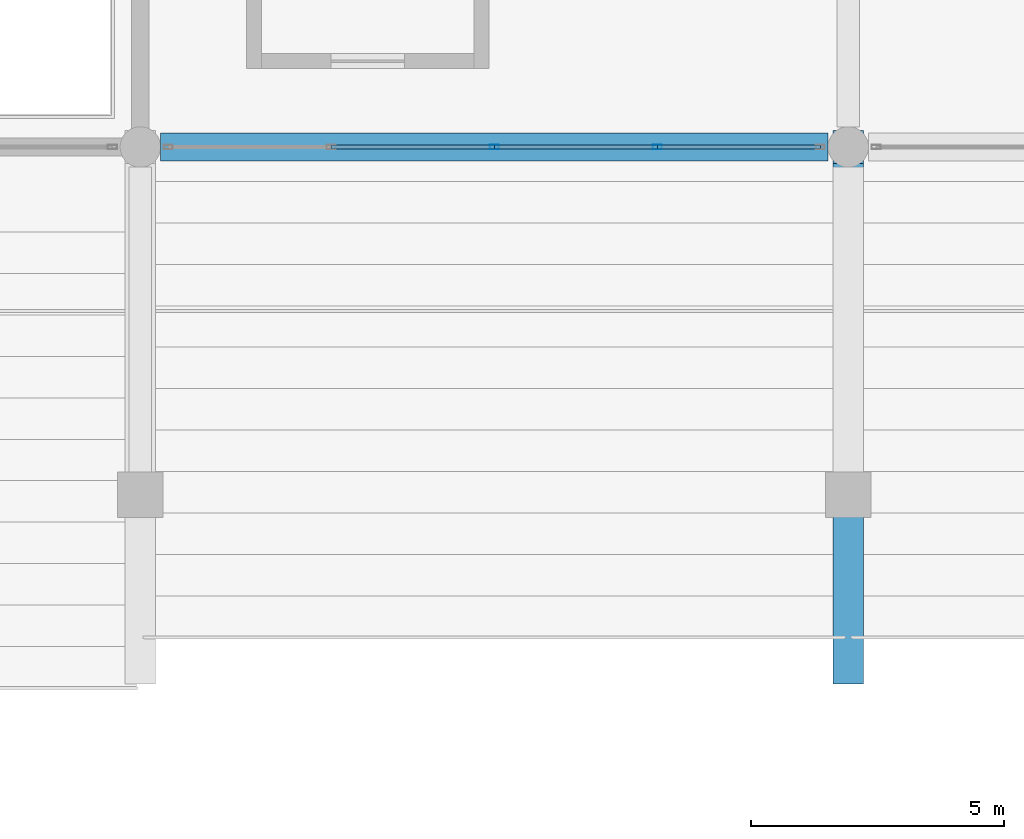
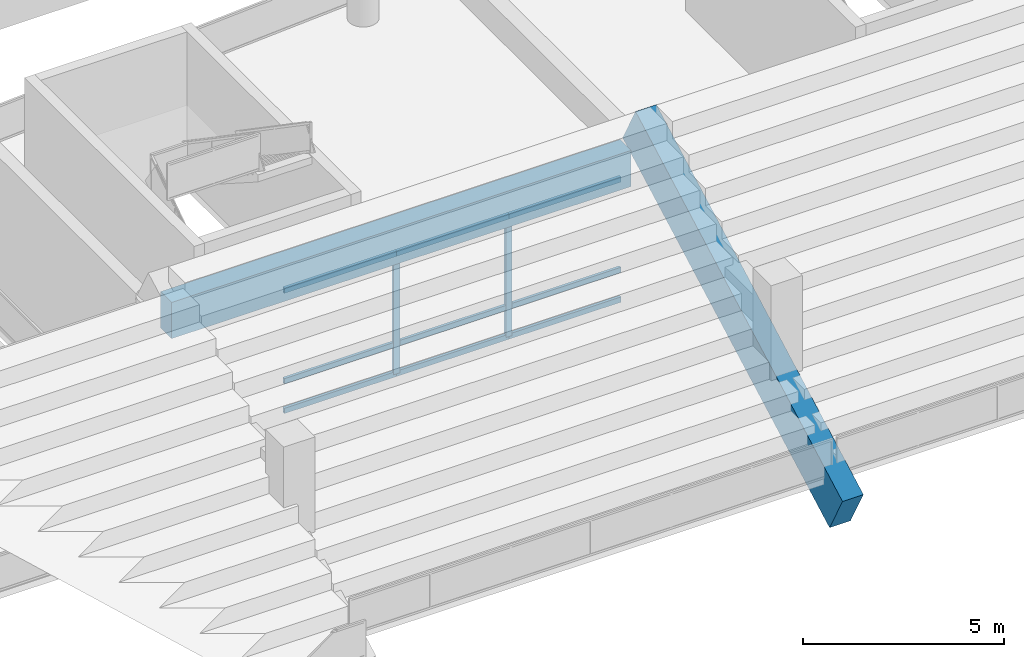
# One storey, part 49 of 94: 11 members, 2 beams, 1 element without a shape of its own.
"""IFC4 building model written with IfcOpenShell, lengths in metres."""

import ifcopenshell
import ifcopenshell.guid

model = None  # the IFC model being written
_history = None  # IfcOwnerHistory: only IFC2X3 demands one
_inside = {}  # id of a spatial element -> (the spatial element, [elements in it])
_under = {}  # id of a project, library or spatial element -> (it, [spatial elements below it])
_declared = {}  # id of a project -> (the project, [libraries it declares])
_typed = {}  # id of a type object -> (the type object, [elements of that type])
_made_of = {}  # id of a material, layer set ... -> (it, [elements and type objects made of it])


def new_model(schema):
    """Start an empty IFC model of exactly this schema.

    Asked for "IFC4X3", IfcOpenShell would pick the latest addendum, in which some entities
    have other attributes; the version numbers below select the first issue.
    IFC2X3 requires an IfcOwnerHistory on every rooted entity: one is made here for all.
    """
    global model, _history
    if schema == "IFC4X3":
        model = ifcopenshell.file(schema_version=(4, 3, 0, 0))
    else:
        model = ifcopenshell.file(schema=schema)
    _inside.clear()
    _under.clear()
    _declared.clear()
    _typed.clear()
    _made_of.clear()
    _history = None
    if model.schema == "IFC2X3":
        org = make("IfcOrganization", Name="unknown")
        user = make(
            "IfcPersonAndOrganization",
            ThePerson=make("IfcPerson", FamilyName="unknown"),
            TheOrganization=org,
        )
        app = make(
            "IfcApplication",
            ApplicationDeveloper=org,
            Version="unknown",
            ApplicationFullName="unknown",
            ApplicationIdentifier="unknown",
        )
        _history = make(
            "IfcOwnerHistory",
            OwningUser=user,
            OwningApplication=app,
            ChangeAction="ADDED",
            CreationDate=0,
        )
    return model


def make(cls, **values):
    """One entity of the class cls with the attributes given. An attribute that is None is left unset."""
    return model.create_entity(
        cls, **{name: value for name, value in values.items() if value is not None}
    )


def rooted(cls, **values):
    """An entity with a GlobalId (a new one), such as an element, a storey or a relation."""
    return make(cls, GlobalId=ifcopenshell.guid.new(), OwnerHistory=_history, **values)


def si_unit(unit_type, name, prefix=None):
    """IfcSIUnit, for example si_unit("LENGTHUNIT", "METRE", prefix="MILLI")."""
    return make("IfcSIUnit", UnitType=unit_type, Prefix=prefix, Name=name)


def assignment(units):
    """IfcUnitAssignment: the units of a project."""
    return None if units is None else make("IfcUnitAssignment", Units=units)


def point(xyz):
    """IfcCartesianPoint."""
    return None if xyz is None else make("IfcCartesianPoint", Coordinates=xyz)


def direction(xyz):
    """IfcDirection."""
    return None if xyz is None else make("IfcDirection", DirectionRatios=xyz)


def frame(location, z_axis=None, x_axis=None):
    """IfcAxis2Placement3D, a coordinate frame: its origin and axes. An axis left out is left unset."""
    return make(
        "IfcAxis2Placement3D",
        Location=point(location),
        Axis=direction(z_axis),
        RefDirection=direction(x_axis),
    )


def frame_2d(location, x_axis=None):
    """IfcAxis2Placement2D, a coordinate frame in the plane: its origin and x axis."""
    return make(
        "IfcAxis2Placement2D", Location=point(location), RefDirection=direction(x_axis)
    )


def origin():
    """The frame at (0, 0, 0) with its axes left unset."""
    return frame((0.0, 0.0, 0.0))


def origin_2d():
    """The frame at (0, 0) in the plane with its x axis left unset."""
    return frame_2d((0.0, 0.0))


def place(relative_to, where):
    """IfcLocalPlacement: puts the frame where relative to a parent placement (None: the world)."""
    return make(
        "IfcLocalPlacement", PlacementRelTo=relative_to, RelativePlacement=where
    )


def context(
    kind, dimensions, precision=None, world=None, true_north=None, identifier=None
):
    """IfcGeometricRepresentationContext, for example the 3D "Model" context."""
    return make(
        "IfcGeometricRepresentationContext",
        ContextIdentifier=identifier,
        ContextType=kind,
        CoordinateSpaceDimension=dimensions,
        Precision=precision,
        WorldCoordinateSystem=world,
        TrueNorth=true_north,
    )


def subcontext(parent, identifier, kind, view, scale=None):
    """IfcGeometricRepresentationSubContext, for example "Body" below "Model"."""
    return make(
        "IfcGeometricRepresentationSubContext",
        ContextIdentifier=identifier,
        ContextType=kind,
        ParentContext=parent,
        TargetScale=scale,
        TargetView=view,
    )


def project(units=None, contexts=None):
    """IfcProject with its units and contexts."""
    return rooted(
        "IfcProject",
        Name="project",
        RepresentationContexts=contexts,
        UnitsInContext=assignment(units),
    )


def spatial(cls, under=None, at=None, **own):
    """A site, building, storey or space (cls), placed at a placement, below another one or the project."""
    s = rooted(cls, ObjectPlacement=at, **own)
    if under is not None:
        _under.setdefault(under.id(), (under, []))[1].append(s)
    return s


def profile(cls, at=None, kind="AREA", **sizes):
    """A parametric profile (cls). Its sizes go by their IFC names, for example OverallWidth=200.0."""
    return make(cls, ProfileType=kind, Position=at, **sizes)


def rectangle(**sizes):
    """IfcRectangleProfileDef."""
    return profile("IfcRectangleProfileDef", **sizes)


def hollow_rectangle(**sizes):
    """IfcRectangleHollowProfileDef."""
    return profile("IfcRectangleHollowProfileDef", **sizes)


def extrude(swept, where, along, depth):
    """IfcExtrudedAreaSolid: the profile swept, set in the frame where, extruded along a direction by depth."""
    return make(
        "IfcExtrudedAreaSolid",
        SweptArea=swept,
        Position=where,
        ExtrudedDirection=direction(along),
        Depth=depth,
    )


def shape(context_of_items, identifier, shape_type, items):
    """IfcShapeRepresentation: the items that make up one representation, for example the "Body"."""
    return make(
        "IfcShapeRepresentation",
        ContextOfItems=context_of_items,
        RepresentationIdentifier=identifier,
        RepresentationType=shape_type,
        Items=items,
    )


def material(Name=None, Category=None):
    """IfcMaterial."""
    return make("IfcMaterial", Name=Name, Category=Category)


def material_profile(
    of_material, cross_section, Name=None, Category=None, Priority=None
):
    """IfcMaterialProfile: a cross section and its material."""
    return make(
        "IfcMaterialProfile",
        Name=Name,
        Material=of_material,
        Profile=cross_section,
        Priority=Priority,
        Category=Category,
    )


def profile_set(profiles, Name=None, composite=None):
    """IfcMaterialProfileSet."""
    return make(
        "IfcMaterialProfileSet",
        Name=Name,
        MaterialProfiles=profiles,
        CompositeProfile=composite,
    )


def made_of(thing, what):
    """Note that an element or type object is made of a material, layer set ...; save() writes the relation."""
    if what is not None:
        _made_of.setdefault(what.id(), (what, []))[1].append(thing)
    return thing


def type_object(cls, material=None, **own):
    """A type object (cls), such as IfcWallType, which elements share."""
    return made_of(rooted(cls, **own), material)


def element(
    cls,
    number,
    at=None,
    inside=None,
    cuts=None,
    type_object=None,
    material=None,
    context=None,
    identifier="Body",
    shape_type=None,
    held_by="IfcProductDefinitionShape",
    body=None,
    shapes=None,
    **own,
):
    """One element of the class cls, such as IfcWall. Its Tag is "e" and its number.

    at: its placement. inside: the storey or other place that contains it. cuts: it is an
    opening in that element (IfcRelVoidsElement). A single representation is given by context,
    identifier, shape_type and body (its items); several are given by shapes. held_by: the class
    of the entity that holds the representations. save() writes the other relations.
    """
    e = rooted(cls, Tag="e%d" % number, ObjectPlacement=at, **own)
    if body is not None:
        shapes = [shape(context, identifier, shape_type, body)]
    if shapes is not None:
        e.Representation = make(held_by, Representations=shapes)
    if inside is not None:
        _inside.setdefault(inside.id(), (inside, []))[1].append(e)
    if cuts is not None:
        rooted(
            "IfcRelVoidsElement", RelatingBuildingElement=cuts, RelatedOpeningElement=e
        )
    if type_object is not None:
        _typed.setdefault(type_object.id(), (type_object, []))[1].append(e)
    return made_of(e, material)


def aggregate(whole, parts):
    """IfcRelAggregates: a whole, such as a stair, and the parts it consists of."""
    return rooted("IfcRelAggregates", RelatingObject=whole, RelatedObjects=parts)


def save(model, path):
    """Write the relations noted so far, then the file.

    IfcRelAggregates (storeys below a building ...), IfcRelContainedInSpatialStructure (elements
    in a storey), IfcRelDefinesByType, IfcRelAssociatesMaterial and IfcRelDeclares: one each for
    every whole, place, type object, material and project.
    """
    for whole, parts in _under.values():
        aggregate(whole, parts)
    for where, things in _inside.values():
        rooted(
            "IfcRelContainedInSpatialStructure",
            RelatedElements=things,
            RelatingStructure=where,
        )
    for kind, things in _typed.values():
        rooted("IfcRelDefinesByType", RelatedObjects=things, RelatingType=kind)
    for what, things in _made_of.values():
        rooted("IfcRelAssociatesMaterial", RelatedObjects=things, RelatingMaterial=what)
    for by, libraries in _declared.values():
        rooted("IfcRelDeclares", RelatingContext=by, RelatedDefinitions=libraries)
    model.write(path)


model = new_model("IFC4")

# Units and contexts
model_context = context("Model", 3, precision=1e-05, world=origin(), true_north=direction((0.0, 1.0)))
body_context = subcontext(model_context, "Body", "Model", "MODEL_VIEW")
ifc_project = project(units=[si_unit("LENGTHUNIT", "METRE"), si_unit("AREAUNIT", "SQUARE_METRE"), si_unit("VOLUMEUNIT", "CUBIC_METRE"), si_unit("PLANEANGLEUNIT", "RADIAN"), si_unit("MASSUNIT", "GRAM", prefix="KILO")], contexts=[model_context])

# Site, building, storey
site_placement = place(None, origin())
site = spatial("IfcSite", under=ifc_project, at=site_placement, CompositionType="ELEMENT")
building_placement = place(site_placement, origin())
building = spatial("IfcBuilding", under=site, at=building_placement, Name="Linyun Crest Stadium", CompositionType="ELEMENT")
storey_placement = place(building_placement, frame((0.0, 0.0, 16.199951171875)))
storey = spatial("IfcBuildingStorey", under=building, at=storey_placement, Name="L04", CompositionType="ELEMENT", Elevation=16.199951171875)

# Curtain wall, members
ifc_material_1 = material(Name="Verdigris steel and low-E curtain wall assembly", Category="steel")
curtain_wall_type = type_object("IfcCurtainWallType", Name="MCW01", PredefinedType="NOTDEFINED", material=ifc_material_1)
curtain_wall_placement = place(storey_placement, origin())
curtain_wall = element("IfcCurtainWall", 1, at=curtain_wall_placement, inside=storey, type_object=curtain_wall_type, Name="CWR-136", PredefinedType="NOTDEFINED")
ifc_material_2 = material(Name="Verdigris painted steel Q355B mullion", Category="steel")
ifc_material_profile_1 = material_profile(ifc_material_2, hollow_rectangle(XDim=0.080078125, YDim=0.179931640625, WallThickness=0.006103515625, at=origin_2d()), Name="RHS 180x80x6")
ifc_profile_set_1 = profile_set([ifc_material_profile_1], Name="Verdigris painted steel Q355B mullion")
member_type_1 = type_object("IfcMemberType", Name="ML02", PredefinedType="MULLION", material=ifc_profile_set_1)
member_1_placement = place(storey_placement, frame((-7.0, 91.5, 0.0), z_axis=(0.0, 0.0, 1.0), x_axis=(0.0, 1.0, 0.0)))
member_1 = element("IfcMember", 2, at=member_1_placement, type_object=member_type_1, Name="CWR-136 mullion 3", PredefinedType="MULLION", context=body_context, shape_type="SweptSolid", body=[
    extrude(hollow_rectangle(XDim=0.080078125, YDim=0.179931640625, WallThickness=0.006103515625, at=origin_2d()), origin(), (0.0, 0.0, 1.0), 3.650146484375),
])
member_2_placement = place(storey_placement, frame((-3.77490234375, 91.5, 0.0), z_axis=(0.0, 0.0, 1.0), x_axis=(0.0, 1.0, 0.0)))
member_2 = element("IfcMember", 3, at=member_2_placement, type_object=member_type_1, Name="CWR-136 mullion 4", PredefinedType="MULLION", context=body_context, shape_type="SweptSolid", body=[
    extrude(hollow_rectangle(XDim=0.080078125, YDim=0.179931640625, WallThickness=0.006103515625, at=origin_2d()), origin(), (0.0, 0.0, 1.0), 3.650146484375),
])

# Beams
ifc_material_3 = material(Name="Precast concrete C50", Category="concrete")
ifc_material_profile_2 = material_profile(ifc_material_3, rectangle(XDim=0.60009765625, YDim=1.35009765625, at=origin_2d()), Name="PCR 1350x600")
ifc_profile_set_2 = profile_set([ifc_material_profile_2], Name="Precast concrete C50")
beam_type_1 = type_object("IfcBeamType", Name="RB03", PredefinedType="USERDEFINED", material=ifc_profile_set_2)
beam_1_placement = place(storey_placement, frame((0.0, 81.199951171875, -0.39990234375), z_axis=(0.0, 0.878552895081, 0.47764506754), x_axis=(-1.0, 0.0, 0.0)))
element("IfcBeam", 4, at=beam_1_placement, inside=storey, type_object=beam_type_1, Name="Precast raker beam RB03 V3 79", ObjectType="RAKER", PredefinedType="USERDEFINED", context=body_context, shape_type="SweptSolid", body=[
    extrude(rectangle(XDim=0.60009765625, YDim=1.35009765625, at=origin_2d()), origin(), (0.0, 0.0, 1.0), 11.723876953125),
])
ifc_material_4 = material(Name="Concrete C50", Category="concrete")
ifc_material_profile_3 = material_profile(ifc_material_4, rectangle(XDim=0.550048828125, YDim=1.10009765625, at=origin_2d()), Name="RCB 1100x550")
ifc_profile_set_3 = profile_set([ifc_material_profile_3], Name="Concrete C50")
beam_type_2 = type_object("IfcBeamType", Name="TB01", PredefinedType="USERDEFINED", material=ifc_profile_set_3)
beam_2_placement = place(storey_placement, frame((-13.60009765625, 91.5, 4.070068359375), z_axis=(1.0, 0.0, 0.0), x_axis=(0.0, 1.0, 0.0)))
element("IfcBeam", 5, at=beam_2_placement, inside=storey, type_object=beam_type_2, Name="Frame beam TB01 L04 810", ObjectType="GIRDER", PredefinedType="USERDEFINED", context=body_context, shape_type="SweptSolid", body=[
    extrude(rectangle(XDim=0.550048828125, YDim=1.10009765625, at=origin_2d()), origin(), (0.0, 0.0, 1.0), 13.2001953125),
])

# Member
ifc_material_5 = material(Name="Aluminium thermally broken transom", Category="aluminium")
ifc_material_profile_4 = material_profile(ifc_material_5, hollow_rectangle(XDim=0.080078125, YDim=0.159912109375, WallThickness=0.006103515625, at=origin_2d()), Name="RHS 160x80x6")
ifc_profile_set_4 = profile_set([ifc_material_profile_4], Name="Aluminium thermally broken transom")
member_type_2 = type_object("IfcMemberType", Name="TR01", PredefinedType="USERDEFINED", material=ifc_profile_set_4)
member_3_placement = place(storey_placement, frame((-10.22509765625, 91.5, 0.0), z_axis=(1.0, 0.0, 0.0), x_axis=(0.0, 1.0, 0.0)))
member_3 = element("IfcMember", 6, at=member_3_placement, type_object=member_type_2, Name="CWR-136 transom 2.1", ObjectType="TRANSOM", PredefinedType="USERDEFINED", context=body_context, shape_type="SweptSolid", body=[
    extrude(hollow_rectangle(XDim=0.080078125, YDim=0.159912109375, WallThickness=0.006103515625, at=origin_2d()), origin(), (0.0, 0.0, 1.0), 3.22509765625),
])

member_4_placement = place(storey_placement, frame((-10.22509765625, 91.5, 0.900146484375), z_axis=(1.0, 0.0, 0.0), x_axis=(0.0, 1.0, 0.0)))
member_4 = element("IfcMember", 7, at=member_4_placement, type_object=member_type_2, Name="CWR-136 transom 2.2", ObjectType="TRANSOM", PredefinedType="USERDEFINED", context=body_context, shape_type="SweptSolid", body=[
    extrude(hollow_rectangle(XDim=0.080078125, YDim=0.159912109375, WallThickness=0.006103515625, at=origin_2d()), origin(), (0.0, 0.0, 1.0), 3.22509765625),
])

member_5_placement = place(storey_placement, frame((-10.22509765625, 91.5, 3.650146484375), z_axis=(1.0, 0.0, 0.0), x_axis=(0.0, 1.0, 0.0)))
member_5 = element("IfcMember", 8, at=member_5_placement, type_object=member_type_2, Name="CWR-136 transom 2.3", ObjectType="TRANSOM", PredefinedType="USERDEFINED", context=body_context, shape_type="SweptSolid", body=[
    extrude(hollow_rectangle(XDim=0.080078125, YDim=0.159912109375, WallThickness=0.006103515625, at=origin_2d()), origin(), (0.0, 0.0, 1.0), 3.22509765625),
])

member_6_placement = place(storey_placement, frame((-7.0, 91.5, 0.0), z_axis=(1.0, 0.0, 0.0), x_axis=(0.0, 1.0, 0.0)))
member_6 = element("IfcMember", 9, at=member_6_placement, type_object=member_type_2, Name="CWR-136 transom 3.1", ObjectType="TRANSOM", PredefinedType="USERDEFINED", context=body_context, shape_type="SweptSolid", body=[
    extrude(hollow_rectangle(XDim=0.080078125, YDim=0.159912109375, WallThickness=0.006103515625, at=origin_2d()), origin(), (0.0, 0.0, 1.0), 3.22509765625),
])

member_7_placement = place(storey_placement, frame((-7.0, 91.5, 0.900146484375), z_axis=(1.0, 0.0, 0.0), x_axis=(0.0, 1.0, 0.0)))
member_7 = element("IfcMember", 10, at=member_7_placement, type_object=member_type_2, Name="CWR-136 transom 3.2", ObjectType="TRANSOM", PredefinedType="USERDEFINED", context=body_context, shape_type="SweptSolid", body=[
    extrude(hollow_rectangle(XDim=0.080078125, YDim=0.159912109375, WallThickness=0.006103515625, at=origin_2d()), origin(), (0.0, 0.0, 1.0), 3.22509765625),
])

member_8_placement = place(storey_placement, frame((-7.0, 91.5, 3.650146484375), z_axis=(1.0, 0.0, 0.0), x_axis=(0.0, 1.0, 0.0)))
member_8 = element("IfcMember", 11, at=member_8_placement, type_object=member_type_2, Name="CWR-136 transom 3.3", ObjectType="TRANSOM", PredefinedType="USERDEFINED", context=body_context, shape_type="SweptSolid", body=[
    extrude(hollow_rectangle(XDim=0.080078125, YDim=0.159912109375, WallThickness=0.006103515625, at=origin_2d()), origin(), (0.0, 0.0, 1.0), 3.22509765625),
])

member_9_placement = place(storey_placement, frame((-3.77490234375, 91.5, 0.0), z_axis=(1.0, 0.0, 0.0), x_axis=(0.0, 1.0, 0.0)))
member_9 = element("IfcMember", 12, at=member_9_placement, type_object=member_type_2, Name="CWR-136 transom 4.1", ObjectType="TRANSOM", PredefinedType="USERDEFINED", context=body_context, shape_type="SweptSolid", body=[
    extrude(hollow_rectangle(XDim=0.080078125, YDim=0.159912109375, WallThickness=0.006103515625, at=origin_2d()), origin(), (0.0, 0.0, 1.0), 3.224853515625),
])

member_10_placement = place(storey_placement, frame((-3.77490234375, 91.5, 0.900146484375), z_axis=(1.0, 0.0, 0.0), x_axis=(0.0, 1.0, 0.0)))
member_10 = element("IfcMember", 13, at=member_10_placement, type_object=member_type_2, Name="CWR-136 transom 4.2", ObjectType="TRANSOM", PredefinedType="USERDEFINED", context=body_context, shape_type="SweptSolid", body=[
    extrude(hollow_rectangle(XDim=0.080078125, YDim=0.159912109375, WallThickness=0.006103515625, at=origin_2d()), origin(), (0.0, 0.0, 1.0), 3.224853515625),
])

member_11_placement = place(storey_placement, frame((-3.77490234375, 91.5, 3.650146484375), z_axis=(1.0, 0.0, 0.0), x_axis=(0.0, 1.0, 0.0)))
member_11 = element("IfcMember", 14, at=member_11_placement, type_object=member_type_2, Name="CWR-136 transom 4.3", ObjectType="TRANSOM", PredefinedType="USERDEFINED", context=body_context, shape_type="SweptSolid", body=[
    extrude(hollow_rectangle(XDim=0.080078125, YDim=0.159912109375, WallThickness=0.006103515625, at=origin_2d()), origin(), (0.0, 0.0, 1.0), 3.224853515625),
])

aggregate(curtain_wall, [member_1, member_2, member_3, member_4, member_5, member_6, member_7, member_8, member_9, member_10, member_11])

save(model, "model.ifc")
